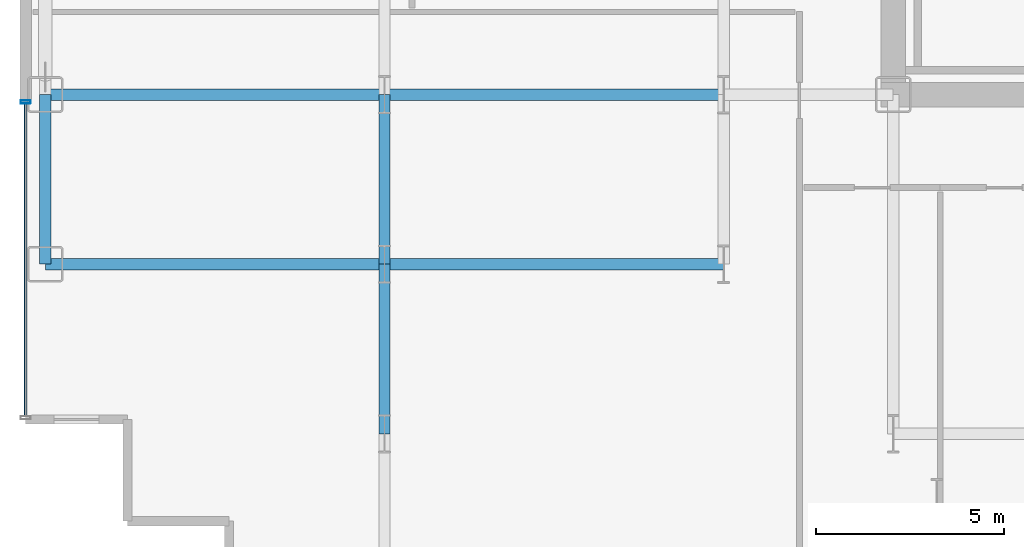
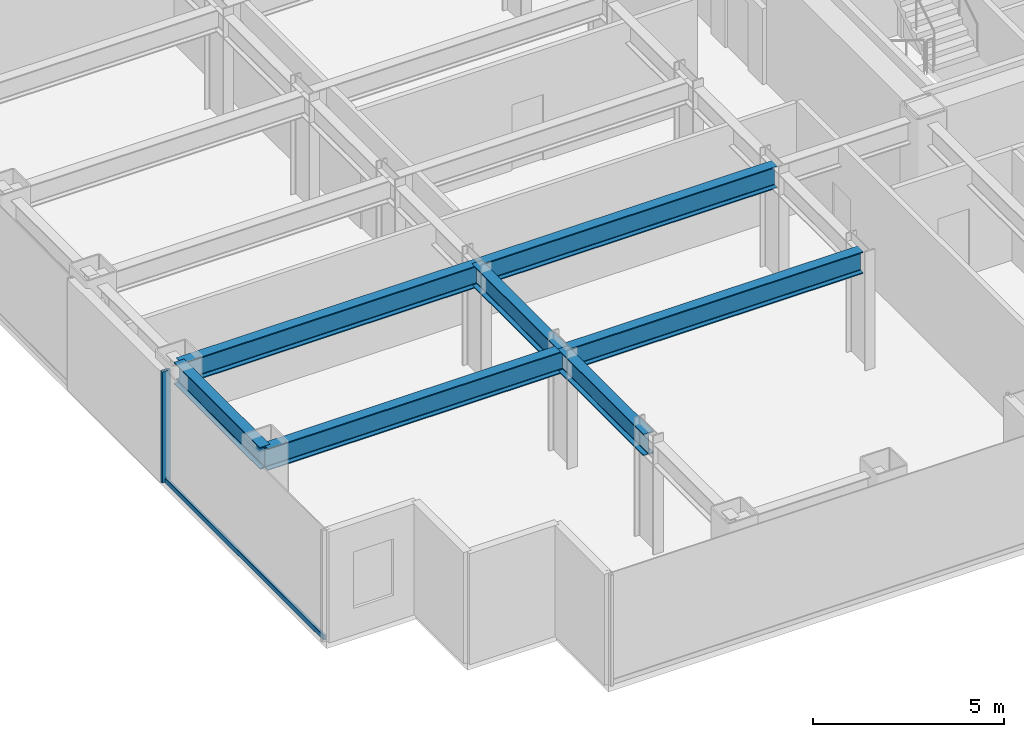
# One storey, part 3 of 29: 7 beams, 2 members, 1 element without a shape of its own.
"""IFC4 building model written with IfcOpenShell, lengths in metres."""

from ifc_helpers import new_model, si_unit, direction, frame, origin, origin_2d, place, context, subcontext, project, spatial, hollow_rectangle, i_section, extrude, source, transform, mapped, material, layer, layer_set, material_profile, profile_set, type_object, element, aggregate, save


model = new_model("IFC4")

# Units and contexts
model_context = context("Model", 3, precision=1e-05, world=origin(), true_north=direction((0.0, 1.0)))
body_context = subcontext(model_context, "Body", "Model", "MODEL_VIEW")
ifc_project = project(units=[si_unit("LENGTHUNIT", "METRE"), si_unit("AREAUNIT", "SQUARE_METRE"), si_unit("VOLUMEUNIT", "CUBIC_METRE"), si_unit("PLANEANGLEUNIT", "RADIAN"), si_unit("MASSUNIT", "GRAM", prefix="KILO")], contexts=[model_context])

# Site, building, storey
site_placement = place(None, origin())
site = spatial("IfcSite", under=ifc_project, at=site_placement, CompositionType="ELEMENT")
building_placement = place(site_placement, origin())
building = spatial("IfcBuilding", under=site, at=building_placement, Name="Nefas-Gora Pilgrimage Tower", CompositionType="ELEMENT")
storey_placement = place(building_placement, frame((0.0, 0.0, 78.60009765625)))
storey = spatial("IfcBuildingStorey", under=building, at=storey_placement, Name="L18", CompositionType="ELEMENT", Elevation=78.60009765625)

# Beams
ifc_material_1 = material(Name="Steel S355", Category="steel")
ifc_material_profile_1 = material_profile(ifc_material_1, i_section(OverallWidth=0.300048828125, OverallDepth=0.699951171875, WebThickness=0.01708984375, FlangeThickness=0.031982421875, FilletRadius=0.027099609375, at=origin_2d()), Name="HEB 700")
ifc_profile_set_1 = profile_set([ifc_material_profile_1], Name="Steel S355")
beam_type_1 = type_object("IfcBeamType", Name="BM-SPN-HEB600", PredefinedType="SPANDREL", material=ifc_profile_set_1)
shared_shape_1 = source(origin(), body_context, "Body", "SweptSolid", [
    extrude(i_section(OverallWidth=0.300048828125, OverallDepth=0.699951171875, WebThickness=0.01708984375, FlangeThickness=0.031982421875, FilletRadius=0.027099609375, at=origin_2d()), origin(), (0.0, 0.0, 1.0), 4.5),
])
beam_placement = place(storey_placement, frame((-33.75, -13.5, 3.199951171875), z_axis=(0.0, 1.0, 0.0), x_axis=(-1.0, 0.0, 0.0)))
element("IfcBeam", 1, at=beam_placement, inside=storey, type_object=beam_type_1, Name="L18 SP-01 beam", PredefinedType="SPANDREL", context=body_context, shape_type="MappedRepresentation", body=[
    mapped(shared_shape_1, transform((0.0, 0.0, 0.0), x_axis=(1.0, 0.0, 0.0), y_axis=(0.0, 1.0, 0.0), z_axis=(0.0, 0.0, 1.0), scale=1.0)),
])
ifc_material_profile_2 = material_profile(ifc_material_1, i_section(OverallWidth=0.300048828125, OverallDepth=0.699951171875, WebThickness=0.01708984375, FlangeThickness=0.031982421875, FilletRadius=0.027099609375, at=origin_2d()), Name="HEB 700")
ifc_profile_set_2 = profile_set([ifc_material_profile_2], Name="Steel S355")
beam_type_2 = type_object("IfcBeamType", Name="BM-GIR-HEB700", PredefinedType="BEAM", material=ifc_profile_set_2)
shared_shape_2 = source(origin(), body_context, "Body", "SweptSolid", [
    extrude(i_section(OverallWidth=0.300048828125, OverallDepth=0.699951171875, WebThickness=0.01708984375, FlangeThickness=0.031982421875, FilletRadius=0.027099609375, at=origin_2d()), origin(), (0.0, 0.0, 1.0), 9.0),
])
for number, where, z_axis, x_axis, name in (
    (2, (-33.75, -13.5, 3.199951171875), (1.0, 0.0, 0.0), (0.0, 1.0, 0.0), "L18 G-02 beam"),
    (3, (-33.75, -9.0, 3.199951171875), (1.0, 0.0, 0.0), (0.0, 1.0, 0.0), "L18 G-02 beam"),
    (4, (-24.75, -13.5, 3.199951171875), (1.0, 0.0, 0.0), (0.0, 1.0, 0.0), "L18 G-02 beam"),
    (5, (-24.75, -9.0, 3.199951171875), (1.0, 0.0, 0.0), (0.0, 1.0, 0.0), "L18 G-02 beam"),
):
    element("IfcBeam", number, at=place(storey_placement, frame(where, z_axis=z_axis, x_axis=x_axis)), inside=storey, type_object=beam_type_2, Name=name, PredefinedType="BEAM", context=body_context, shape_type="MappedRepresentation", body=[
        mapped(shared_shape_2, transform((0.0, 0.0, 0.0), x_axis=(1.0, 0.0, 0.0), y_axis=(0.0, 1.0, 0.0), z_axis=(0.0, 0.0, 1.0), scale=1.0)),
    ])
shared_shape_3 = source(origin(), body_context, "Body", "SweptSolid", [
    extrude(i_section(OverallWidth=0.300048828125, OverallDepth=0.699951171875, WebThickness=0.01708984375, FlangeThickness=0.031982421875, FilletRadius=0.027099609375, at=origin_2d()), origin(), (0.0, 0.0, 1.0), 4.5),
])
for number, where, z_axis, x_axis, name in (
    (6, (-24.75, -18.0, 3.199951171875), (0.0, 1.0, 0.0), (-1.0, 0.0, 0.0), "L18 G-02 beam"),
    (7, (-24.75, -13.5, 3.199951171875), (0.0, 1.0, 0.0), (-1.0, 0.0, 0.0), "L18 G-02 beam"),
):
    element("IfcBeam", number, at=place(storey_placement, frame(where, z_axis=z_axis, x_axis=x_axis)), inside=storey, type_object=beam_type_2, Name=name, PredefinedType="BEAM", context=body_context, shape_type="MappedRepresentation", body=[
        mapped(shared_shape_3, transform((0.0, 0.0, 0.0), x_axis=(1.0, 0.0, 0.0), y_axis=(0.0, 1.0, 0.0), z_axis=(0.0, 0.0, 1.0), scale=1.0)),
    ])

# Curtain wall, members
ifc_material_2 = material(Name="Dark ceramic-fritted solar-control aluminium-glass curtain wall", Category="aluminium")
ifc_layer = layer(ifc_material_2, 0.219970703125)
ifc_layer_set = layer_set([ifc_layer], Name="Dark ceramic-fritted solar-control aluminium-glass curtain wall")
curtain_wall_type = type_object("IfcCurtainWallType", Name="CW-SYS-2", PredefinedType="NOTDEFINED", material=ifc_layer_set)
curtain_wall_placement = place(storey_placement, origin())
curtain_wall = element("IfcCurtainWall", 8, at=curtain_wall_placement, inside=storey, type_object=curtain_wall_type, Name="L18 Unitised Curtain Wall CW2", PredefinedType="NOTDEFINED")
ifc_material_3 = material(Name="Anodised architectural aluminium", Category="aluminium")
ifc_material_profile_3 = material_profile(ifc_material_3, hollow_rectangle(XDim=0.080078125, YDim=0.159912109375, WallThickness=0.00439453125, InnerFilletRadius=0.00439453125, OuterFilletRadius=0.009033203125, at=origin_2d()), Name="ALU TRANSOM 80x160")
ifc_profile_set_3 = profile_set([ifc_material_profile_3], Name="Anodised architectural aluminium")
member_type_1 = type_object("IfcMemberType", Name="CWM-TRN-2", PredefinedType="USERDEFINED", material=ifc_profile_set_3)
shared_shape_4 = source(origin(), body_context, "Body", "SweptSolid", [
    extrude(hollow_rectangle(XDim=0.080078125, YDim=0.159912109375, WallThickness=0.00439453125, InnerFilletRadius=0.00439453125, OuterFilletRadius=0.009033203125, at=origin_2d()), origin(), (0.0, 0.0, 1.0), 8.2900390625),
])
member_1_placement = place(storey_placement, frame((-34.27001953125, -9.239990234375, 0.0498046875), z_axis=(0.0, -1.0, 0.0), x_axis=(1.0, 0.0, 0.0)))
member_1 = element("IfcMember", 9, at=member_1_placement, type_object=member_type_1, Name="CW2 Spandrel Transom", ObjectType="TRANSOM", PredefinedType="USERDEFINED", context=body_context, shape_type="MappedRepresentation", body=[
    mapped(shared_shape_4, transform((0.0, 0.0, 0.0), x_axis=(1.0, 0.0, 0.0), y_axis=(0.0, 1.0, 0.0), z_axis=(0.0, 0.0, 1.0), scale=1.0)),
])
ifc_material_profile_4 = material_profile(ifc_material_3, hollow_rectangle(XDim=0.090087890625, YDim=0.260009765625, WallThickness=0.006103515625, InnerFilletRadius=0.006103515625, OuterFilletRadius=0.011962890625, at=origin_2d()), Name="ALU MULLION 90x260")
ifc_profile_set_4 = profile_set([ifc_material_profile_4], Name="Anodised architectural aluminium")
member_type_2 = type_object("IfcMemberType", Name="CWM-MUL-2", PredefinedType="MULLION", material=ifc_profile_set_4)
shared_shape_5 = source(origin(), body_context, "Body", "SweptSolid", [
    extrude(hollow_rectangle(XDim=0.090087890625, YDim=0.260009765625, WallThickness=0.006103515625, InnerFilletRadius=0.006103515625, OuterFilletRadius=0.011962890625, at=origin_2d()), origin(), (0.0, 0.0, 1.0), 3.5498046875),
])
member_2_placement = place(storey_placement, frame((-34.27001953125, -9.195068359375, 0.0), z_axis=(0.0, 0.0, 1.0), x_axis=(0.0, -1.0, 0.0)))
member_2 = element("IfcMember", 10, at=member_2_placement, type_object=member_type_2, Name="CW2 Mullion 1", PredefinedType="MULLION", context=body_context, shape_type="MappedRepresentation", body=[
    mapped(shared_shape_5, transform((0.0, 0.0, 0.0), x_axis=(1.0, 0.0, 0.0), y_axis=(0.0, 1.0, 0.0), z_axis=(0.0, 0.0, 1.0), scale=1.0)),
])
aggregate(curtain_wall, [member_2, member_1])

save(model, "model.ifc")
